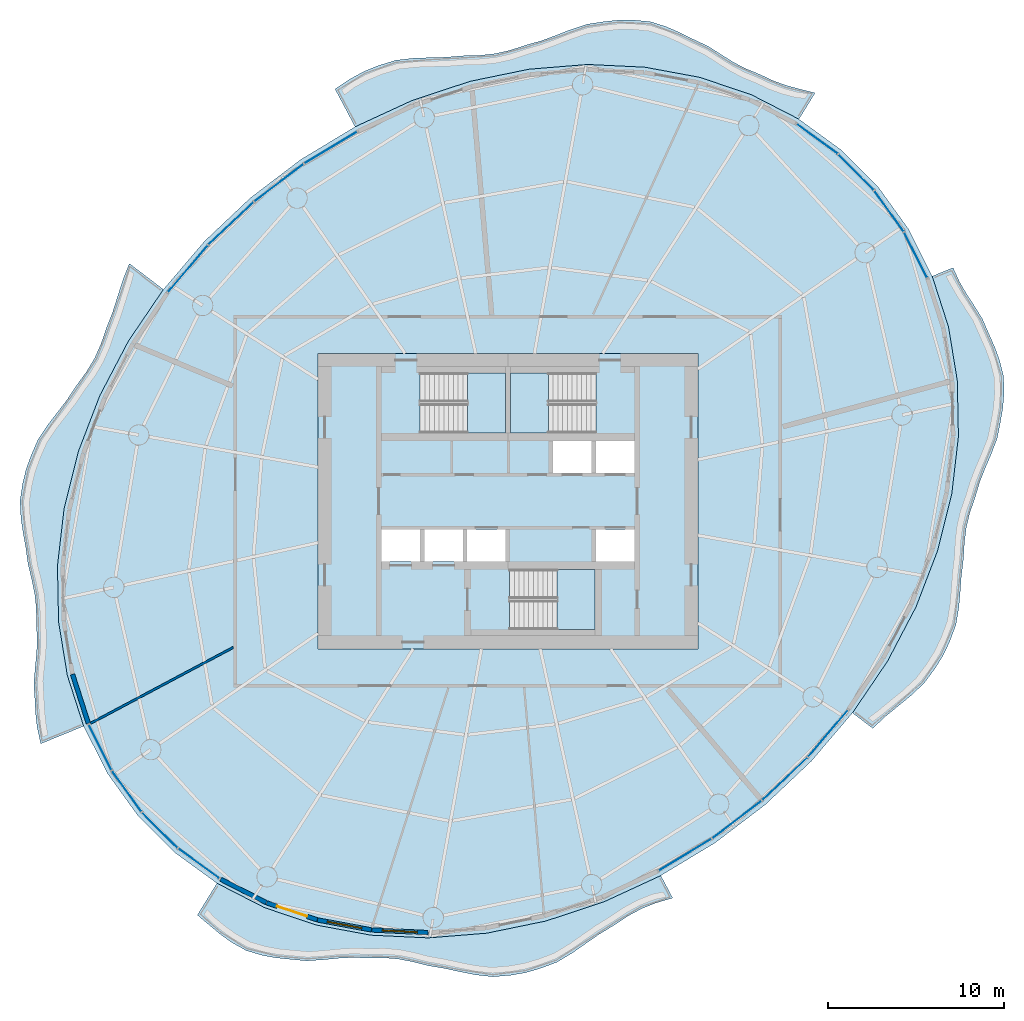
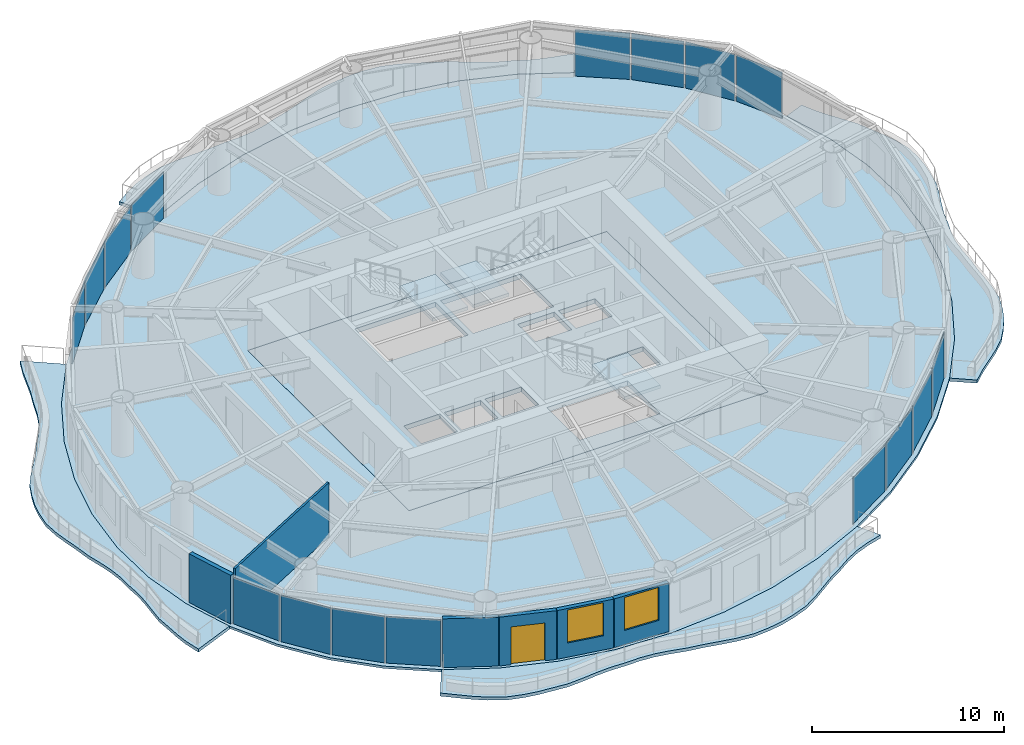
# One storey, part 7 of 14: 16 plates, 9 slabs, 6 walls, 2 windows, 1 door, 3 openings, 19 elements without a shape of their own.
"""IFC4 building model written with IfcOpenShell, lengths in metres."""

from ifc_helpers import new_model, si_unit, direction, frame, frame_2d, origin, origin_2d, place, context, subcontext, project, spatial, polyline, rectangle, outline, extrude, material, layer, layer_set, type_object, element, fill, aggregate, save


model = new_model("IFC4")

# Units and contexts
model_context = context("Model", 3, precision=1e-05, world=origin(), true_north=direction((0.0, 1.0)))
body_context = subcontext(model_context, "Body", "Model", "MODEL_VIEW")
ifc_project = project(units=[si_unit("LENGTHUNIT", "METRE"), si_unit("AREAUNIT", "SQUARE_METRE"), si_unit("VOLUMEUNIT", "CUBIC_METRE"), si_unit("PLANEANGLEUNIT", "RADIAN"), si_unit("MASSUNIT", "GRAM", prefix="KILO")], contexts=[model_context])

# Site, building, storey
site_placement = place(None, origin())
site = spatial("IfcSite", under=ifc_project, at=site_placement, CompositionType="ELEMENT")
building_placement = place(site_placement, origin())
building = spatial("IfcBuilding", under=site, at=building_placement, Name="Vermilion Reach Broadcast Tower", CompositionType="ELEMENT")
storey_placement = place(building_placement, frame((0.0, 0.0, 195.699951171875)))
storey = spatial("IfcBuildingStorey", under=building, at=storey_placement, Name="L47", CompositionType="ELEMENT", Elevation=195.699951171875)

# Slabs
ifc_material_1 = material(Name="Concrete C40/50", Category="concrete")
ifc_layer_1 = layer(ifc_material_1, 0.199951171875)
ifc_layer_set_1 = layer_set([ifc_layer_1], Name="Balcony slab 200")
slab_type_1 = type_object("IfcSlabType", Name="Balcony slab 200", PredefinedType="FLOOR", material=ifc_layer_set_1)
placement_1 = place(storey_placement, frame((0.0, 0.0, -0.199951171875)))
element("IfcSlab", 1, at=placement_1, inside=storey, type_object=slab_type_1, Name="Balcony slab L47 group 1", PredefinedType="FLOOR", context=body_context, shape_type="SweptSolid", body=[
    extrude(outline(polyline([(10.553955078125, 21.733154296875), (7.85400390625, 23.11962890625), (4.9169921875, 24.1103515625), (1.793212890625, 24.6884765625), (-1.4638671875, 24.84423828125), (-4.798583984375, 24.57470703125), (-8.15380859375, 23.885009765625), (-11.472412109375, 22.786376953125), (-14.697265625, 21.298095703125), (-15.837158203125, 23.449462890625), (-14.975341796875, 24.01953125), (-14.195068359375, 24.447998046875), (-13.371337890625, 24.7822265625), (-12.38037109375, 25.086181640625), (-11.351806640625, 25.203125), (-10.441650390625, 25.234375), (-9.529296875, 25.259033203125), (-8.54296875, 25.34033203125), (-7.58447265625, 25.36767578125), (-6.729248046875, 25.460205078125), (-5.893310546875, 25.646728515625), (-4.99365234375, 25.94189453125), (-4.090576171875, 26.197021484375), (-3.275634765625, 26.496826171875), (-2.46240234375, 26.817138671875), (-1.50146484375, 27.136474609375), (-0.531005859375, 27.28271484375), (0.2890625, 27.36962890625), (1.10546875, 27.374267578125), (2.093994140625, 27.283203125), (3.0263671875, 26.986572265625), (3.7734375, 26.659912109375), (4.51318359375, 26.292236328125), (5.37841796875, 25.88671875), (6.16552734375, 25.38671875), (6.841064453125, 24.96533203125), (7.53564453125, 24.600341796875), (8.34228515625, 24.27490234375), (9.11279296875, 23.909912109375), (9.83349609375, 23.652587890625), (10.582763671875, 23.450439453125), (11.47265625, 23.225830078125), (10.553955078125, 21.733154296875)])), origin(), (0.0, 0.0, 1.0), 0.199951171875),
])
element("IfcSlab", 2, at=placement_1, inside=storey, type_object=slab_type_1, Name="Balcony slab L47 group 2", PredefinedType="FLOOR", context=body_context, shape_type="SweptSolid", body=[
    extrude(outline(polyline([(-25.60009765625, 12.045166015625), (-27.593017578125, 9.10546875), (-29.216796875, 6.009765625), (-30.443115234375, 2.811279296875), (-31.251220703125, -0.43505859375), (-31.627197265625, -3.67431640625), (-31.564697265625, -6.8505859375), (-31.06494140625, -9.909423828125), (-30.13623046875, -12.798828125), (-32.578125, -13.7978515625), (-32.786865234375, -12.85400390625), (-32.8720703125, -12.084228515625), (-32.912109375, -11.30029296875), (-32.97265625, -10.369140625), (-32.891845703125, -9.4228515625), (-32.812255859375, -8.624755859375), (-32.78125, -7.83447265625), (-32.830810546875, -6.9658203125), (-32.8349609375, -6.0810546875), (-32.919921875, -5.288330078125), (-33.079345703125, -4.4970703125), (-33.298095703125, -3.593994140625), (-33.430419921875, -2.644287109375), (-33.58056640625, -1.80615234375), (-33.705322265625, -0.970947265625), (-33.758056640625, 0.0205078125), (-33.607666015625, 1.013427734375), (-33.408935546875, 1.82568359375), (-33.1220703125, 2.6162109375), (-32.722900390625, 3.529296875), (-32.149169921875, 4.3828125), (-31.601318359375, 5.08984375), (-31.060302734375, 5.799560546875), (-30.5283203125, 6.602783203125), (-29.958984375, 7.385986328125), (-29.511962890625, 8.13818359375), (-29.15380859375, 8.937255859375), (-28.840087890625, 9.851806640625), (-28.47998046875, 10.779296875), (-28.19970703125, 11.662109375), (-27.921142578125, 12.546142578125), (-27.53662109375, 13.51953125), (-25.60009765625, 12.045166015625)])), origin(), (0.0, 0.0, 1.0), 0.199951171875),
])
element("IfcSlab", 3, at=placement_1, inside=storey, type_object=slab_type_1, Name="Balcony slab L47 group 3", PredefinedType="FLOOR", context=body_context, shape_type="SweptSolid", body=[
    extrude(outline(polyline([(-22.553955078125, -21.733154296875), (-19.85400390625, -23.11962890625), (-16.9169921875, -24.1103515625), (-13.793212890625, -24.6884765625), (-10.5361328125, -24.84423828125), (-7.201416015625, -24.57470703125), (-3.84619140625, -23.885009765625), (-0.527587890625, -22.786376953125), (2.697265625, -21.298095703125), (3.374755859375, -22.5771484375), (2.435546875, -22.85009765625), (1.608642578125, -23.17724609375), (0.8251953125, -23.5986328125), (0.00732421875, -24.1416015625), (-0.8310546875, -24.650390625), (-1.579345703125, -25.171142578125), (-2.32666015625, -25.694091796875), (-3.2197265625, -26.228271484375), (-4.165771484375, -26.582275390625), (-4.990478515625, -26.8232421875), (-5.834716796875, -26.9697265625), (-6.847412109375, -27.05615234375), (-7.848876953125, -26.946533203125), (-8.70166015625, -26.77685546875), (-9.555908203125, -26.591064453125), (-10.510009765625, -26.430419921875), (-11.417236328125, -26.2021484375), (-12.22607421875, -26.047607421875), (-13.038818359375, -25.976806640625), (-13.944091796875, -25.989013671875), (-14.8359375, -25.957763671875), (-15.65185546875, -26.00244140625), (-16.474853515625, -26.084716796875), (-17.447021484375, -26.14990234375), (-18.392822265625, -26.06103515625), (-19.183349609375, -25.980224609375), (-19.9541015625, -25.8408203125), (-20.888427734375, -25.5673828125), (-21.721923828125, -25.096435546875), (-22.3466796875, -24.652099609375), (-22.944091796875, -24.154296875), (-23.668701171875, -23.54443359375), (-22.553955078125, -21.733154296875)])), origin(), (0.0, 0.0, 1.0), 0.199951171875),
])
element("IfcSlab", 4, at=placement_1, inside=storey, type_object=slab_type_1, Name="Balcony slab L47 group 4", PredefinedType="FLOOR", context=body_context, shape_type="SweptSolid", body=[
    extrude(outline(polyline([(13.60009765625, -12.045166015625), (15.593017578125, -9.10546875), (17.216796875, -6.009765625), (18.443115234375, -2.811279296875), (19.251220703125, 0.43505859375), (19.627197265625, 3.67431640625), (19.564697265625, 6.8505859375), (19.06494140625, 9.909423828125), (18.13623046875, 12.798828125), (19.32275390625, 13.2841796875), (19.6806640625, 12.498291015625), (20.0673828125, 11.82568359375), (20.496337890625, 11.16650390625), (20.99169921875, 10.373779296875), (21.367919921875, 9.500732421875), (21.691650390625, 8.768310546875), (21.964111328125, 8.02783203125), (22.19921875, 7.09033203125), (22.22021484375, 6.1083984375), (22.155517578125, 5.312744140625), (22.018310546875, 4.515625), (21.829833984375, 3.568603515625), (21.476806640625, 2.638916015625), (21.140380859375, 1.857177734375), (20.833251953125, 1.072265625), (20.572509765625, 0.195068359375), (20.26953125, -0.68017578125), (20.075927734375, -1.493896484375), (19.9697265625, -2.32958984375), (19.91552734375, -3.27490234375), (19.795166015625, -4.246826171875), (19.730712890625, -5.139404296875), (19.655517578125, -6.02783203125), (19.485107421875, -7.035400390625), (19.126220703125, -7.998046875), (18.75048828125, -8.787841796875), (18.285888671875, -9.531005859375), (17.67724609375, -10.35302734375), (16.912353515625, -11.072509765625), (16.19384765625, -11.658203125), (15.47802734375, -12.24560546875), (14.75244140625, -12.92236328125), (13.60009765625, -12.045166015625)])), origin(), (0.0, 0.0, 1.0), 0.199951171875),
])
ifc_material_2 = material(Name="Concrete C40", Category="concrete")
ifc_layer_2 = layer(ifc_material_2, 0.300048828125)
ifc_layer_set_2 = layer_set([ifc_layer_2], Name="Core floor slab 300 mm Concrete C40")
slab_type_2 = type_object("IfcSlabType", Name="Core floor slab 300 mm Concrete C40", PredefinedType="FLOOR", material=ifc_layer_set_2)
slab_5_placement = place(storey_placement, frame((0.0, 0.0, -0.300048828125)))
element("IfcSlab", 5, at=slab_5_placement, inside=storey, type_object=slab_type_2, Name="L47 core floor", PredefinedType="FLOOR", context=body_context, shape_type="SweptSolid", body=[
    extrude(outline(polyline([(-16.800048828125, -8.39990234375), (4.800048828125, -8.39990234375), (4.800048828125, 8.39990234375), (-16.800048828125, 8.39990234375), (-16.800048828125, -8.39990234375)]), holes=[polyline([(-3.433349609375, 1.60009765625), (-1.24169921875, 1.60009765625), (-1.24169921875, 3.429931640625), (-3.433349609375, 3.429931640625), (-3.433349609375, 1.60009765625)]), polyline([(-0.99169921875, 1.60009765625), (1.199951171875, 1.60009765625), (1.199951171875, 3.429931640625), (-0.99169921875, 3.429931640625), (-0.99169921875, 1.60009765625)]), polyline([(-13.199951171875, -3.429931640625), (-11.00830078125, -3.429931640625), (-11.00830078125, -1.60009765625), (-13.199951171875, -1.60009765625), (-13.199951171875, -3.429931640625)]), polyline([(-10.75830078125, -3.429931640625), (-8.566650390625, -3.429931640625), (-8.566650390625, -1.60009765625), (-10.75830078125, -1.60009765625), (-10.75830078125, -3.429931640625)]), polyline([(-8.316650390625, -3.429931640625), (-6.125, -3.429931640625), (-6.125, -1.60009765625), (-8.316650390625, -1.60009765625), (-8.316650390625, -3.429931640625)]), polyline([(-0.99169921875, -3.429931640625), (1.199951171875, -3.429931640625), (1.199951171875, -1.60009765625), (-0.99169921875, -1.60009765625), (-0.99169921875, -3.429931640625)]), polyline([(-10.999267578125, 3.8798828125), (-6.14990234375, 3.8798828125), (-6.14990234375, 7.300048828125), (-10.999267578125, 7.300048828125), (-10.999267578125, 3.8798828125)]), polyline([(-1.000732421875, 7.300048828125), (-5.85009765625, 7.300048828125), (-5.85009765625, 3.8798828125), (-1.000732421875, 3.8798828125), (-1.000732421875, 7.300048828125)]), polyline([(-5.8994140625, -7.300048828125), (-1.050048828125, -7.300048828125), (-1.050048828125, -3.8798828125), (-5.8994140625, -3.8798828125), (-5.8994140625, -7.300048828125)])]), origin(), (0.0, 0.0, 1.0), 0.300048828125),
])

# Stair, slab
ifc_material_3 = material(Name="Concrete C40", Category="concrete")
stair_type = type_object("IfcStairType", Name="Exit stair RC 22 risers 164 mm", PredefinedType="HALF_TURN_STAIR", material=ifc_material_3)
placement_2 = place(storey_placement, origin())
stair_1 = element("IfcStair", 6, at=placement_2, inside=storey, type_object=stair_type, Name="L47 Exit stair ST1", PredefinedType="HALF_TURN_STAIR")
ifc_material_4 = material(Name="Concrete C40", Category="concrete")
ifc_layer_3 = layer(ifc_material_4, 0.199951171875)
ifc_layer_set_3 = layer_set([ifc_layer_3], Name="Exit stair landing Concrete C40")
slab_type_3 = type_object("IfcSlabType", Name="Exit stair landing Concrete C40", PredefinedType="LANDING", material=ifc_layer_set_3)
placement_3 = place(storey_placement, frame((0.0, 0.0, 1.60009765625)))
slab_6 = element("IfcSlab", 7, at=placement_3, type_object=slab_type_3, Name="ST1 landing 1", PredefinedType="LANDING", context=body_context, shape_type="SweptSolid", body=[
    extrude(outline(polyline([(-8.300048828125, 3.8798828125), (-6.14990234375, 3.8798828125), (-6.14990234375, 7.300048828125), (-8.300048828125, 7.300048828125), (-8.300048828125, 3.8798828125)])), origin(), (0.0, 0.0, 1.0), 0.199951171875),
])
aggregate(stair_1, [slab_6])

stair_2 = element("IfcStair", 8, at=placement_2, inside=storey, type_object=stair_type, Name="L47 Exit stair ST2", PredefinedType="HALF_TURN_STAIR")
slab_7 = element("IfcSlab", 9, at=placement_3, type_object=slab_type_3, Name="ST2 landing 1", PredefinedType="LANDING", context=body_context, shape_type="SweptSolid", body=[
    extrude(outline(polyline([(-3.699951171875, 7.300048828125), (-5.85009765625, 7.300048828125), (-5.85009765625, 3.8798828125), (-3.699951171875, 3.8798828125), (-3.699951171875, 7.300048828125)])), origin(), (0.0, 0.0, 1.0), 0.199951171875),
])
aggregate(stair_2, [slab_7])

stair_3 = element("IfcStair", 10, at=placement_2, inside=storey, type_object=stair_type, Name="L47 Exit stair ST3", PredefinedType="HALF_TURN_STAIR")
slab_8 = element("IfcSlab", 11, at=placement_3, type_object=slab_type_3, Name="ST3 landing 1", PredefinedType="LANDING", context=body_context, shape_type="SweptSolid", body=[
    extrude(outline(polyline([(-3.199951171875, -7.300048828125), (-1.050048828125, -7.300048828125), (-1.050048828125, -3.8798828125), (-3.199951171875, -3.8798828125), (-3.199951171875, -7.300048828125)])), origin(), (0.0, 0.0, 1.0), 0.199951171875),
])
aggregate(stair_3, [slab_8])

# Slab
ifc_material_5 = material(Name="Concrete C40", Category="concrete")
ifc_layer_4 = layer(ifc_material_5, 0.14990234375)
ifc_layer_set_4 = layer_set([ifc_layer_4], Name="Floor slab Concrete C40 composite 150")
slab_type_4 = type_object("IfcSlabType", Name="Floor slab Concrete C40 composite 150", PredefinedType="FLOOR", material=ifc_layer_set_4)
slab_9_placement = place(storey_placement, frame((0.0, 0.0, -0.14990234375)))
element("IfcSlab", 12, at=slab_9_placement, inside=storey, type_object=slab_type_4, Name="Floor slab L47", PredefinedType="FLOOR", context=body_context, shape_type="SweptSolid", body=[
    extrude(outline(polyline([(15.062744140625, 17.875244140625), (12.970703125, 19.97509765625), (10.553955078125, 21.733154296875), (7.85400390625, 23.11962890625), (4.9169921875, 24.1103515625), (1.793212890625, 24.6884765625), (-1.4638671875, 24.84423828125), (-4.798583984375, 24.57470703125), (-8.15380859375, 23.885009765625), (-11.472412109375, 22.786376953125), (-14.697265625, 21.298095703125), (-17.773193359375, 19.4453125), (-20.647705078125, 17.259765625), (-23.271728515625, 14.779052734375), (-25.60009765625, 12.045166015625), (-27.593017578125, 9.10546875), (-29.216796875, 6.009765625), (-30.443115234375, 2.811279296875), (-31.251220703125, -0.43505859375), (-31.627197265625, -3.67431640625), (-31.564697265625, -6.8505859375), (-31.06494140625, -9.909423828125), (-30.13623046875, -12.798828125), (-28.79443359375, -15.469482421875), (-27.062744140625, -17.875244140625), (-24.970703125, -19.97509765625), (-22.553955078125, -21.733154296875), (-19.85400390625, -23.11962890625), (-16.9169921875, -24.1103515625), (-13.793212890625, -24.6884765625), (-10.5361328125, -24.84423828125), (-7.201416015625, -24.57470703125), (-3.84619140625, -23.885009765625), (-0.527587890625, -22.786376953125), (2.697265625, -21.298095703125), (5.773193359375, -19.4453125), (8.647705078125, -17.259765625), (11.271728515625, -14.779052734375), (13.60009765625, -12.045166015625), (15.593017578125, -9.10546875), (17.216796875, -6.009765625), (18.443115234375, -2.811279296875), (19.251220703125, 0.43505859375), (19.627197265625, 3.67431640625), (19.564697265625, 6.8505859375), (19.06494140625, 9.909423828125), (18.13623046875, 12.798828125), (16.79443359375, 15.469482421875), (15.062744140625, 17.875244140625)]), holes=[polyline([(-16.800048828125, -8.39990234375), (4.800048828125, -8.39990234375), (4.800048828125, 8.39990234375), (-16.800048828125, 8.39990234375), (-16.800048828125, -8.39990234375)])]), origin(), (0.0, 0.0, 1.0), 0.14990234375),
])

# Curtain wall, plate
ifc_material_6 = material(Name="Low-e laminated clear glass in aluminium frame", Category="aluminium")
curtain_wall_type = type_object("IfcCurtainWallType", Name="Slot curtain wall", PredefinedType="NOTDEFINED", material=ifc_material_6)
curtain_wall_1 = element("IfcCurtainWall", 13, at=placement_2, inside=storey, type_object=curtain_wall_type, Name="Slot curtain wall L47 46", PredefinedType="NOTDEFINED")
ifc_material_7 = material(Name="Low-e laminated clear glass", Category="glass")
ifc_layer_5 = layer(ifc_material_7, 0.028076171875)
ifc_layer_set_5 = layer_set([ifc_layer_5], Name="Slot glass panel")
plate_type = type_object("IfcPlateType", Name="Slot glass panel", PredefinedType="CURTAIN_PANEL", material=ifc_layer_set_5)
plate_1_placement = place(storey_placement, frame((17.1982421875, 13.999755859375, 0.0), z_axis=(0.0, 0.0, 1.0), x_axis=(-0.448936456071, 0.893563684586, 0.0)))
plate_1 = element("IfcPlate", 14, at=plate_1_placement, type_object=plate_type, Name="Slot glass panel L47 46", PredefinedType="CURTAIN_PANEL", context=body_context, shape_type="SweptSolid", body=[
    extrude(rectangle(XDim=2.861572265625, YDim=0.028076171875, at=origin_2d()), origin(), (0.0, 0.0, 1.0), 2.949951171875),
])
aggregate(curtain_wall_1, [plate_1])

curtain_wall_2 = element("IfcCurtainWall", 15, at=placement_2, inside=storey, type_object=curtain_wall_type, Name="Slot curtain wall L47 47", PredefinedType="NOTDEFINED")
plate_2_placement = place(storey_placement, frame((15.68603515625, 16.49755859375, 0.0), z_axis=(0.0, 0.0, 1.0), x_axis=(-0.584203862925, 0.811606953238, 0.0)))
plate_2 = element("IfcPlate", 16, at=plate_2_placement, type_object=plate_type, Name="Slot glass panel L47 47", PredefinedType="CURTAIN_PANEL", context=body_context, shape_type="SweptSolid", body=[
    extrude(rectangle(XDim=2.83642578125, YDim=0.028076171875, at=origin_2d()), origin(), (0.0, 0.0, 1.0), 2.949951171875),
])
aggregate(curtain_wall_2, [plate_2])

curtain_wall_3 = element("IfcCurtainWall", 17, at=placement_2, inside=storey, type_object=curtain_wall_type, Name="Slot curtain wall L47 00", PredefinedType="NOTDEFINED")
plate_3_placement = place(storey_placement, frame((13.804931640625, 18.714111328125, 0.0), z_axis=(0.0, 0.0, 1.0), x_axis=(-0.705787869618, 0.708423237267, 0.0)))
plate_3 = element("IfcPlate", 18, at=plate_3_placement, type_object=plate_type, Name="Slot glass panel L47 00", PredefinedType="CURTAIN_PANEL", context=body_context, shape_type="SweptSolid", body=[
    extrude(rectangle(XDim=2.83642578125, YDim=0.028076171875, at=origin_2d()), origin(), (0.0, 0.0, 1.0), 2.949951171875),
])
aggregate(curtain_wall_3, [plate_3])

curtain_wall_4 = element("IfcCurtainWall", 19, at=placement_2, inside=storey, type_object=curtain_wall_type, Name="Slot curtain wall L47 01", PredefinedType="NOTDEFINED")
plate_4_placement = place(storey_placement, frame((11.586181640625, 20.6123046875, 0.0), z_axis=(0.0, 0.0, 1.0), x_axis=(-0.808653076577, 0.588285816371, 0.0)))
plate_4 = element("IfcPlate", 20, at=plate_4_placement, type_object=plate_type, Name="Slot glass panel L47 01", PredefinedType="CURTAIN_PANEL", context=body_context, shape_type="SweptSolid", body=[
    extrude(rectangle(XDim=2.861572265625, YDim=0.028076171875, at=origin_2d()), origin(), (0.0, 0.0, 1.0), 2.949951171875),
])
aggregate(curtain_wall_4, [plate_4])

curtain_wall_5 = element("IfcCurtainWall", 21, at=placement_2, inside=storey, type_object=curtain_wall_type, Name="Slot curtain wall L47 10", PredefinedType="NOTDEFINED")
plate_5_placement = place(storey_placement, frame((-16.08056640625, 20.114990234375, 0.0), z_axis=(0.0, 0.0, 1.0), x_axis=(-0.856605389608, -0.515972098562, 0.0)))
plate_5 = element("IfcPlate", 22, at=plate_5_placement, type_object=plate_type, Name="Slot glass panel L47 10", PredefinedType="CURTAIN_PANEL", context=body_context, shape_type="SweptSolid", body=[
    extrude(rectangle(XDim=3.478271484375, YDim=0.028076171875, at=origin_2d()), origin(), (0.0, 0.0, 1.0), 2.949951171875),
])
aggregate(curtain_wall_5, [plate_5])

curtain_wall_6 = element("IfcCurtainWall", 23, at=placement_2, inside=storey, type_object=curtain_wall_type, Name="Slot curtain wall L47 11", PredefinedType="NOTDEFINED")
plate_6_placement = place(storey_placement, frame((-19.029052734375, 18.114013671875, 0.0), z_axis=(0.0, 0.0, 1.0), x_axis=(-0.796047631973, -0.605233977591, 0.0)))
plate_6 = element("IfcPlate", 24, at=plate_6_placement, type_object=plate_type, Name="Slot glass panel L47 11", PredefinedType="CURTAIN_PANEL", context=body_context, shape_type="SweptSolid", body=[
    extrude(rectangle(XDim=3.498779296875, YDim=0.028076171875, at=origin_2d()), origin(), (0.0, 0.0, 1.0), 2.949951171875),
])
aggregate(curtain_wall_6, [plate_6])

curtain_wall_7 = element("IfcCurtainWall", 25, at=placement_2, inside=storey, type_object=curtain_wall_type, Name="Slot curtain wall L47 12", PredefinedType="NOTDEFINED")
plate_7_placement = place(storey_placement, frame((-21.75390625, 15.8017578125, 0.0), z_axis=(0.0, 0.0, 1.0), x_axis=(-0.726642695427, -0.687015569826, 0.0)))
plate_7 = element("IfcPlate", 26, at=plate_7_placement, type_object=plate_type, Name="Slot glass panel L47 12", PredefinedType="CURTAIN_PANEL", context=body_context, shape_type="SweptSolid", body=[
    extrude(rectangle(XDim=3.498779296875, YDim=0.028076171875, at=origin_2d()), origin(), (0.0, 0.0, 1.0), 2.949951171875),
])
aggregate(curtain_wall_7, [plate_7])

curtain_wall_8 = element("IfcCurtainWall", 27, at=placement_2, inside=storey, type_object=curtain_wall_type, Name="Slot curtain wall L47 13", PredefinedType="NOTDEFINED")
plate_8_placement = place(storey_placement, frame((-24.207763671875, 13.218017578125, 0.0), z_axis=(0.0, 0.0, 1.0), x_axis=(-0.648418309561, -0.761284241152, 0.0)))
plate_8 = element("IfcPlate", 28, at=plate_8_placement, type_object=plate_type, Name="Slot glass panel L47 13", PredefinedType="CURTAIN_PANEL", context=body_context, shape_type="SweptSolid", body=[
    extrude(rectangle(XDim=3.478271484375, YDim=0.028076171875, at=origin_2d()), origin(), (0.0, 0.0, 1.0), 2.949951171875),
])
aggregate(curtain_wall_8, [plate_8])

curtain_wall_9 = element("IfcCurtainWall", 29, at=placement_2, inside=storey, type_object=curtain_wall_type, Name="Slot curtain wall L47 22", PredefinedType="NOTDEFINED")
plate_9_placement = place(storey_placement, frame((-29.1982421875, -13.999755859375, 0.0), z_axis=(0.0, 0.0, 1.0), x_axis=(0.448936456071, -0.893563684586, 0.0)))
plate_9 = element("IfcPlate", 30, at=plate_9_placement, type_object=plate_type, Name="Slot glass panel L47 22", PredefinedType="CURTAIN_PANEL", context=body_context, shape_type="SweptSolid", body=[
    extrude(rectangle(XDim=2.861572265625, YDim=0.028076171875, at=origin_2d()), origin(), (0.0, 0.0, 1.0), 2.949951171875),
])
aggregate(curtain_wall_9, [plate_9])

curtain_wall_10 = element("IfcCurtainWall", 31, at=placement_2, inside=storey, type_object=curtain_wall_type, Name="Slot curtain wall L47 23", PredefinedType="NOTDEFINED")
plate_10_placement = place(storey_placement, frame((-27.68603515625, -16.49755859375, 0.0), z_axis=(0.0, 0.0, 1.0), x_axis=(0.584203862925, -0.811606953238, 0.0)))
plate_10 = element("IfcPlate", 32, at=plate_10_placement, type_object=plate_type, Name="Slot glass panel L47 23", PredefinedType="CURTAIN_PANEL", context=body_context, shape_type="SweptSolid", body=[
    extrude(rectangle(XDim=2.83642578125, YDim=0.028076171875, at=origin_2d()), origin(), (0.0, 0.0, 1.0), 2.949951171875),
])
aggregate(curtain_wall_10, [plate_10])

curtain_wall_11 = element("IfcCurtainWall", 33, at=placement_2, inside=storey, type_object=curtain_wall_type, Name="Slot curtain wall L47 24", PredefinedType="NOTDEFINED")
plate_11_placement = place(storey_placement, frame((-25.804931640625, -18.714111328125, 0.0), z_axis=(0.0, 0.0, 1.0), x_axis=(0.705787869618, -0.708423237267, 0.0)))
plate_11 = element("IfcPlate", 34, at=plate_11_placement, type_object=plate_type, Name="Slot glass panel L47 24", PredefinedType="CURTAIN_PANEL", context=body_context, shape_type="SweptSolid", body=[
    extrude(rectangle(XDim=2.83642578125, YDim=0.028076171875, at=origin_2d()), origin(), (0.0, 0.0, 1.0), 2.949951171875),
])
aggregate(curtain_wall_11, [plate_11])

curtain_wall_12 = element("IfcCurtainWall", 35, at=placement_2, inside=storey, type_object=curtain_wall_type, Name="Slot curtain wall L47 25", PredefinedType="NOTDEFINED")
plate_12_placement = place(storey_placement, frame((-23.586181640625, -20.6123046875, 0.0), z_axis=(0.0, 0.0, 1.0), x_axis=(0.808653076577, -0.588285816371, 0.0)))
plate_12 = element("IfcPlate", 36, at=plate_12_placement, type_object=plate_type, Name="Slot glass panel L47 25", PredefinedType="CURTAIN_PANEL", context=body_context, shape_type="SweptSolid", body=[
    extrude(rectangle(XDim=2.861572265625, YDim=0.028076171875, at=origin_2d()), origin(), (0.0, 0.0, 1.0), 2.949951171875),
])
aggregate(curtain_wall_12, [plate_12])

curtain_wall_13 = element("IfcCurtainWall", 37, at=placement_2, inside=storey, type_object=curtain_wall_type, Name="Slot curtain wall L47 34", PredefinedType="NOTDEFINED")
plate_13_placement = place(storey_placement, frame((4.08056640625, -20.114990234375, 0.0), z_axis=(0.0, 0.0, 1.0), x_axis=(0.856605389608, 0.515972098562, 0.0)))
plate_13 = element("IfcPlate", 38, at=plate_13_placement, type_object=plate_type, Name="Slot glass panel L47 34", PredefinedType="CURTAIN_PANEL", context=body_context, shape_type="SweptSolid", body=[
    extrude(rectangle(XDim=3.478271484375, YDim=0.028076171875, at=origin_2d()), origin(), (0.0, 0.0, 1.0), 2.949951171875),
])
aggregate(curtain_wall_13, [plate_13])

curtain_wall_14 = element("IfcCurtainWall", 39, at=placement_2, inside=storey, type_object=curtain_wall_type, Name="Slot curtain wall L47 35", PredefinedType="NOTDEFINED")
plate_14_placement = place(storey_placement, frame((7.029052734375, -18.114013671875, 0.0), z_axis=(0.0, 0.0, 1.0), x_axis=(0.796047631973, 0.605233977591, 0.0)))
plate_14 = element("IfcPlate", 40, at=plate_14_placement, type_object=plate_type, Name="Slot glass panel L47 35", PredefinedType="CURTAIN_PANEL", context=body_context, shape_type="SweptSolid", body=[
    extrude(rectangle(XDim=3.498779296875, YDim=0.028076171875, at=origin_2d()), origin(), (0.0, 0.0, 1.0), 2.949951171875),
])
aggregate(curtain_wall_14, [plate_14])

curtain_wall_15 = element("IfcCurtainWall", 41, at=placement_2, inside=storey, type_object=curtain_wall_type, Name="Slot curtain wall L47 36", PredefinedType="NOTDEFINED")
plate_15_placement = place(storey_placement, frame((9.75390625, -15.8017578125, 0.0), z_axis=(0.0, 0.0, 1.0), x_axis=(0.726642695427, 0.687015569826, 0.0)))
plate_15 = element("IfcPlate", 42, at=plate_15_placement, type_object=plate_type, Name="Slot glass panel L47 36", PredefinedType="CURTAIN_PANEL", context=body_context, shape_type="SweptSolid", body=[
    extrude(rectangle(XDim=3.498779296875, YDim=0.028076171875, at=origin_2d()), origin(), (0.0, 0.0, 1.0), 2.949951171875),
])
aggregate(curtain_wall_15, [plate_15])

curtain_wall_16 = element("IfcCurtainWall", 43, at=placement_2, inside=storey, type_object=curtain_wall_type, Name="Slot curtain wall L47 37", PredefinedType="NOTDEFINED")
plate_16_placement = place(storey_placement, frame((12.207763671875, -13.218017578125, 0.0), z_axis=(0.0, 0.0, 1.0), x_axis=(0.648418309561, 0.761284241152, 0.0)))
plate_16 = element("IfcPlate", 44, at=plate_16_placement, type_object=plate_type, Name="Slot glass panel L47 37", PredefinedType="CURTAIN_PANEL", context=body_context, shape_type="SweptSolid", body=[
    extrude(rectangle(XDim=3.478271484375, YDim=0.028076171875, at=origin_2d()), origin(), (0.0, 0.0, 1.0), 2.949951171875),
])
aggregate(curtain_wall_16, [plate_16])

# Walls
ifc_material_8 = material(Name="Fire-rated plasterboard on steel stud", Category="steel")
ifc_layer_6 = layer(ifc_material_8, 0.125)
ifc_layer_set_6 = layer_set([ifc_layer_6], Name="Partition 125 fire-rated stud")
wall_type_1 = type_object("IfcWallType", Name="Partition 125 fire-rated stud", PredefinedType="PARTITIONING", material=ifc_layer_set_6)
wall_1_placement = place(storey_placement, frame((-29.74267578125, -12.63818359375, 0.0), z_axis=(0.0, 0.0, 1.0), x_axis=(0.8827357417, 0.46986978018, 0.0)))
element("IfcWall", 45, at=wall_1_placement, inside=storey, type_object=wall_type_1, Name="Partition 47.04", PredefinedType="PARTITIONING", context=body_context, shape_type="SweptSolid", body=[
    extrude(rectangle(XDim=9.191162109375, YDim=0.125, at=frame_2d((4.595703125, 0.0))), origin(), (0.0, 0.0, 1.0), 3.449951171875),
])
ifc_material_9 = material(Name="Terracotta rainscreen cladding", Category="masonry")
ifc_layer_7 = layer(ifc_material_9, 0.25)
ifc_layer_set_7 = layer_set([ifc_layer_7], Name="Terracotta rainscreen wall 250")
wall_type_2 = type_object("IfcWallType", Name="Terracotta rainscreen wall 250", PredefinedType="SOLIDWALL", material=ifc_layer_set_7)
for number, where, z_axis, x_axis, name in (
    (46, (-30.76904296875, -9.85205078125, 0.0), (0.0, 0.0, 1.0), (0.305979420663, -0.952038126406, 0.0), "External wall L47 21"),
    (47, (-22.347900390625, -21.502685546875, 0.0), (0.0, 0.0, 1.0), (0.889595471306, -0.456749271955, 0.0), "External wall L47 26"),
):
    element("IfcWall", number, at=place(storey_placement, frame(where, z_axis=z_axis, x_axis=x_axis)), inside=storey, type_object=wall_type_2, Name=name, PredefinedType="SOLIDWALL", context=body_context, shape_type="SweptSolid", body=[
        extrude(rectangle(XDim=2.921142578125, YDim=0.25, at=frame_2d((1.46044921875, 0.0))), origin(), (0.0, 0.0, 1.0), 3.10009765625),
    ])

# Wall, opening, door
wall_2_placement = place(storey_placement, frame((-19.724853515625, -22.847412109375, 0.0), z_axis=(0.0, 0.0, 1.0), x_axis=(0.947557264869, -0.319586028784, 0.0)))
wall_2 = element("IfcWall", 48, at=wall_2_placement, inside=storey, type_object=wall_type_2, Name="External wall L47 27", PredefinedType="SOLIDWALL", context=body_context, shape_type="SweptSolid", body=[
    extrude(rectangle(XDim=3.02978515625, YDim=0.25, at=frame_2d((1.514892578125, 0.0))), origin(), (0.0, 0.0, 1.0), 3.10009765625),
])
opening_1_placement = place(wall_2_placement, frame((0.614990234375, 0.0, 0.0)))
opening_1 = element("IfcOpeningElement", 49, at=opening_1_placement, cuts=wall_2, Name="Opening D70", PredefinedType="OPENING", context=body_context, shape_type="SweptSolid", body=[
    extrude(rectangle(XDim=1.800048828125, YDim=2.39990234375, at=frame_2d((0.89990234375, 1.199951171875))), frame((0.0, 0.135009765625, 0.0), z_axis=(0.0, -1.0, 0.0), x_axis=(1.0, 0.0, 0.0)), (0.0, 0.0, 1.0), 0.27001953125),
])
ifc_material_10 = material(Name="Low-e laminated clear glass in aluminium frame", Category="aluminium")
door_type = type_object("IfcDoorType", Name="Balcony sliding door 1800 x 2400", OperationType="DOUBLE_DOOR_SLIDING", PredefinedType="DOOR", material=ifc_material_10)
door_placement = place(opening_1_placement, origin())
door = element("IfcDoor", 50, at=door_placement, inside=storey, type_object=door_type, Name="Balcony door L47 run 07", OperationType="DOUBLE_DOOR_SLIDING", OverallHeight=2.39990234375, OverallWidth=1.800048828125, PredefinedType="DOOR", context=body_context, shape_type="SweptSolid", body=[
    extrude(rectangle(XDim=1.800048828125, YDim=2.39990234375, at=frame_2d((0.89990234375, 1.199951171875))), frame((0.0, 0.02490234375, 0.0), z_axis=(0.0, -1.0, 0.0), x_axis=(1.0, 0.0, 0.0)), (0.0, 0.0, 1.0), 0.050048828125),
])
fill(opening_1, door)

# Wall, opening, window
wall_3_placement = place(storey_placement, frame((-16.8291015625, -23.822265625, 0.0), z_axis=(0.0, 0.0, 1.0), x_axis=(0.98330230245, -0.181979619727, 0.0)))
wall_3 = element("IfcWall", 51, at=wall_3_placement, inside=storey, type_object=wall_type_2, Name="External wall L47 28", PredefinedType="SOLIDWALL", context=body_context, shape_type="SweptSolid", body=[
    extrude(rectangle(XDim=3.10986328125, YDim=0.25, at=frame_2d((1.554931640625, 0.0))), origin(), (0.0, 0.0, 1.0), 3.10009765625),
])
opening_2_placement = place(wall_3_placement, frame((0.554931640625, 0.0, 0.89990234375)))
opening_2 = element("IfcOpeningElement", 52, at=opening_2_placement, cuts=wall_3, Name="Opening W03", PredefinedType="OPENING", context=body_context, shape_type="SweptSolid", body=[
    extrude(rectangle(XDim=2.0, YDim=2.10009765625, at=frame_2d((1.0, 1.050048828125))), frame((0.0, 0.135009765625, 0.0), z_axis=(0.0, -1.0, 0.0), x_axis=(1.0, 0.0, 0.0)), (0.0, 0.0, 1.0), 0.27001953125),
])
ifc_material_11 = material(Name="Low-e laminated clear glass in aluminium frame", Category="aluminium")
window_type = type_object("IfcWindowType", Name="Punched window 2000 x 2100 sill 900", PartitioningType="SINGLE_PANEL", PredefinedType="WINDOW", material=ifc_material_11)
window_1_placement = place(opening_2_placement, origin())
window_1 = element("IfcWindow", 53, at=window_1_placement, inside=storey, type_object=window_type, Name="Window L47 28", OverallHeight=2.10009765625, OverallWidth=2.0, PartitioningType="SINGLE_PANEL", PredefinedType="WINDOW", context=body_context, shape_type="SweptSolid", body=[
    extrude(rectangle(XDim=2.0, YDim=2.10009765625, at=frame_2d((1.0, 1.050048828125))), frame((0.0, 0.030029296875, 0.0), z_axis=(0.0, -1.0, 0.0), x_axis=(1.0, 0.0, 0.0)), (0.0, 0.0, 1.0), 0.06005859375),
])
fill(opening_2, window_1)

wall_4_placement = place(storey_placement, frame((-13.74658203125, -24.390869140625, 0.0), z_axis=(0.0, 0.0, 1.0), x_axis=(0.998856706074, -0.047804609939, 0.0)))
wall_4 = element("IfcWall", 54, at=wall_4_placement, inside=storey, type_object=wall_type_2, Name="External wall L47 29", PredefinedType="SOLIDWALL", context=body_context, shape_type="SweptSolid", body=[
    extrude(rectangle(XDim=3.197021484375, YDim=0.25, at=frame_2d((1.5986328125, 0.0))), origin(), (0.0, 0.0, 1.0), 3.10009765625),
])
opening_3_placement = place(wall_4_placement, frame((0.598388671875, 0.0, 0.89990234375)))
opening_3 = element("IfcOpeningElement", 55, at=opening_3_placement, cuts=wall_4, Name="Opening W03", PredefinedType="OPENING", context=body_context, shape_type="SweptSolid", body=[
    extrude(rectangle(XDim=2.0, YDim=2.10009765625, at=frame_2d((1.0, 1.050048828125))), frame((0.0, 0.135009765625, 0.0), z_axis=(0.0, -1.0, 0.0), x_axis=(1.0, 0.0, 0.0)), (0.0, 0.0, 1.0), 0.27001953125),
])
window_2_placement = place(opening_3_placement, origin())
window_2 = element("IfcWindow", 56, at=window_2_placement, inside=storey, type_object=window_type, Name="Window L47 29", OverallHeight=2.10009765625, OverallWidth=2.0, PartitioningType="SINGLE_PANEL", PredefinedType="WINDOW", context=body_context, shape_type="SweptSolid", body=[
    extrude(rectangle(XDim=2.0, YDim=2.10009765625, at=frame_2d((1.0, 1.050048828125))), frame((0.0, 0.030029296875, 0.0), z_axis=(0.0, -1.0, 0.0), x_axis=(1.0, 0.0, 0.0)), (0.0, 0.0, 1.0), 0.06005859375),
])
fill(opening_3, window_2)

save(model, "model.ifc")
